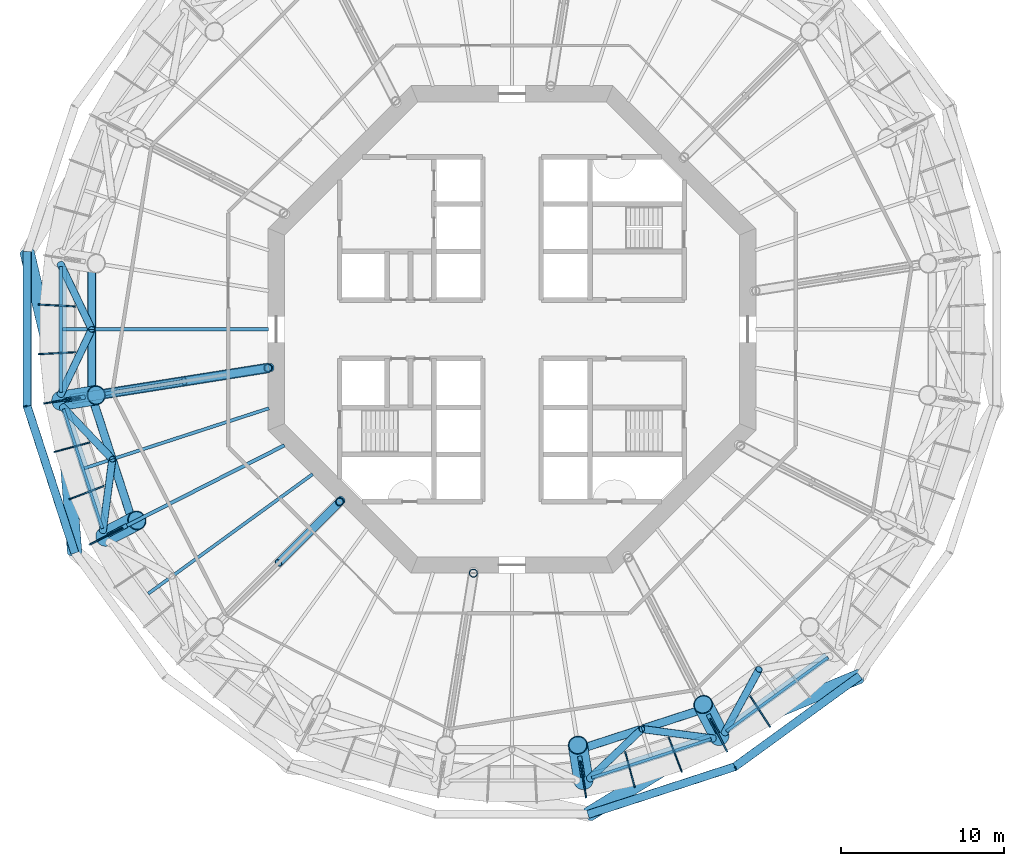
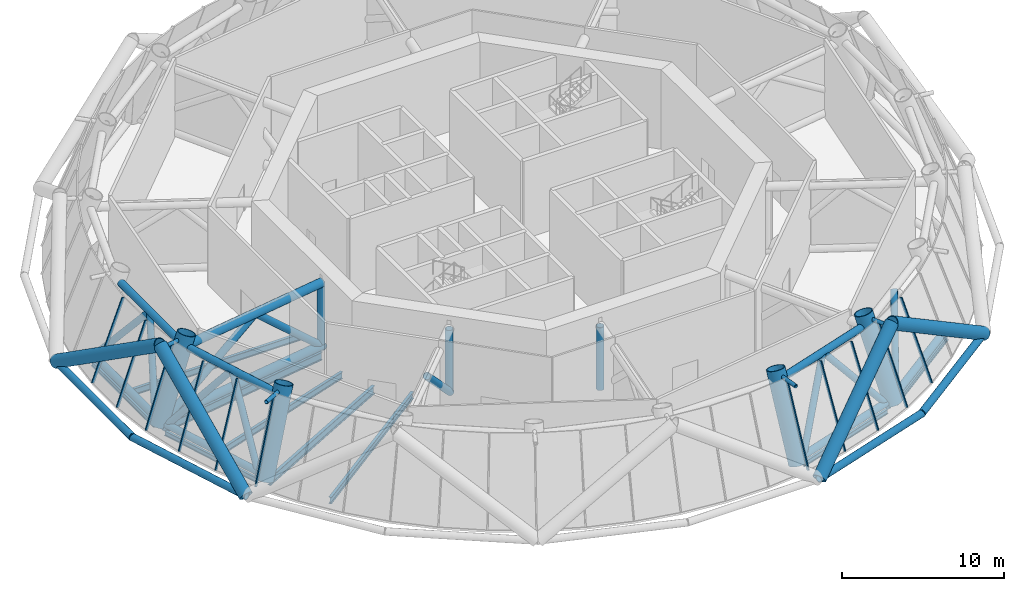
# One storey, part 2 of 15: 49 members, 9 beams, 5 elements without a shape of their own.
"""IFC4 building model written with IfcOpenShell, lengths in metres."""

from ifc_helpers import new_model, si_unit, direction, frame, origin, origin_2d, place, context, subcontext, project, spatial, rectangle, circle, hollow_circle, i_section, extrude, material, layer, layer_set, material_profile, profile_set, type_object, element, aggregate, save


model = new_model("IFC4")

# Units and contexts
model_context = context("Model", 3, precision=1e-05, world=origin(), true_north=direction((0.0, 1.0)))
body_context = subcontext(model_context, "Body", "Model", "MODEL_VIEW")
ifc_project = project(units=[si_unit("LENGTHUNIT", "METRE"), si_unit("AREAUNIT", "SQUARE_METRE"), si_unit("VOLUMEUNIT", "CUBIC_METRE"), si_unit("PLANEANGLEUNIT", "RADIAN"), si_unit("MASSUNIT", "GRAM", prefix="KILO")], contexts=[model_context])

# Site, building, storey
site_placement = place(None, origin())
site = spatial("IfcSite", under=ifc_project, at=site_placement, CompositionType="ELEMENT")
building_placement = place(site_placement, origin())
building = spatial("IfcBuilding", under=site, at=building_placement, Name="Entoto Ring Tower", CompositionType="ELEMENT")
storey_placement = place(building_placement, frame((0.0, 0.0, 200.0)))
storey = spatial("IfcBuildingStorey", under=building, at=storey_placement, Name="L46", CompositionType="ELEMENT", Elevation=200.0)

# Members
ifc_material_1 = material(Name="Steel S355", Category="steel")
ifc_material_profile_1 = material_profile(ifc_material_1, hollow_circle(Radius=0.449951171875, WallThickness=0.044921875, at=origin_2d()), Name="CHS 900 x 45")
ifc_material_2 = material(Name="Concrete C60/75", Category="concrete")
ifc_material_profile_2 = material_profile(ifc_material_2, circle(Radius=0.405029296875, at=origin_2d()), Name="Concrete C60/75 infill")
ifc_profile_set_1 = profile_set([ifc_material_profile_1, ifc_material_profile_2], Name="Steel S355")
member_type_1 = type_object("IfcMemberType", Name="Diagrid diagonal 900 x 45 concrete-filled tube", PredefinedType="BRACE", material=ifc_profile_set_1)
for number, where, z_axis, x_axis, name in (
    (1, (60.171875, 84.724365234375, 0.0), (0.195432990063, -0.818886187126, 0.539658557728), (0.972682939127, 0.232137674521, 0.0), "DG2 module 14 10"),
    (2, (63.091552734375, 66.28955078125, 0.0), (-0.067171964206, 0.839199397204, 0.539659428675), (-0.99681187731, -0.079787726213, 0.0), "DG2 module 14 11"),
):
    element("IfcMember", number, at=place(storey_placement, frame(where, z_axis=z_axis, x_axis=x_axis)), inside=storey, type_object=member_type_1, Name=name, PredefinedType="BRACE", context=body_context, shape_type="SweptSolid", body=[
        extrude(hollow_circle(Radius=0.449951171875, WallThickness=0.044921875, at=origin_2d()), origin(), (0.0, 0.0, 1.0), 11.1181640625),
    ])
member_1_placement = place(storey_placement, frame((94.724365234375, 50.171875, 0.0), z_axis=(0.718410935775, 0.438916670262, 0.539664603179), x_axis=(-0.521352941047, 0.853341145652, 0.0)))
element("IfcMember", 3, at=member_1_placement, inside=storey, type_object=member_type_1, Name="DG2 module 14 16", PredefinedType="BRACE", context=body_context, shape_type="SweptSolid", body=[
    extrude(hollow_circle(Radius=0.449951171875, WallThickness=0.044921875, at=origin_2d()), origin(), (0.0, 0.0, 1.0), 11.117919921875),
])
member_2_placement = place(storey_placement, frame((111.354736328125, 58.645263671875, 0.0), z_axis=(-0.777375260078, -0.323207345717, 0.539652403584), x_axis=(0.383907804078, -0.923371430123, 0.0)))
element("IfcMember", 4, at=member_2_placement, inside=storey, type_object=member_type_1, Name="DG2 module 14 17", PredefinedType="BRACE", context=body_context, shape_type="SweptSolid", body=[
    extrude(hollow_circle(Radius=0.449951171875, WallThickness=0.044921875, at=origin_2d()), origin(), (0.0, 0.0, 1.0), 11.1181640625),
])
ifc_material_3 = material(Name="Steel S355", Category="steel")
ifc_material_profile_3 = material_profile(ifc_material_3, hollow_circle(Radius=0.136474609375, WallThickness=0.012451171875, at=origin_2d()), Name="CHS 273 x 12.5")
ifc_material_4 = material(Name="Concrete C60/75", Category="concrete")
ifc_material_profile_4 = material_profile(ifc_material_4, circle(Radius=0.1240234375, at=origin_2d()), Name="Concrete C60/75 infill")
ifc_profile_set_2 = profile_set([ifc_material_profile_3, ifc_material_profile_4], Name="Steel S355")
member_type_2 = type_object("IfcMemberType", Name="Diagrid node strut 273 x 12.5", PredefinedType="STRUT", material=ifc_profile_set_2)
member_3_placement = place(storey_placement, frame((63.7421875, 75.841064453125, 5.71337890625), z_axis=(-0.987701157576, -0.156353520338, 0.0), x_axis=(0.156353520338, -0.987701157576, 0.0)))
element("IfcMember", 5, at=member_3_placement, inside=storey, type_object=member_type_2, Name="DS2 strut ring 14 11", PredefinedType="STRUT", context=body_context, shape_type="SweptSolid", body=[
    extrude(hollow_circle(Radius=0.136474609375, WallThickness=0.012451171875, at=origin_2d()), origin(), (0.0, 0.0, 1.0), 1.314697265625),
])
member_4_placement = place(storey_placement, frame((66.3125, 67.9306640625, 5.71337890625), z_axis=(-0.891022493252, -0.453959157325, 0.0), x_axis=(0.453959157325, -0.891022493252, 0.0)))
element("IfcMember", 6, at=member_4_placement, inside=storey, type_object=member_type_2, Name="DS2 strut ring 14 12", PredefinedType="STRUT", context=body_context, shape_type="SweptSolid", body=[
    extrude(hollow_circle(Radius=0.136474609375, WallThickness=0.012451171875, at=origin_2d()), origin(), (0.0, 0.0, 1.0), 1.31494140625),
])
member_5_placement = place(storey_placement, frame((94.158935546875, 53.7421875, 5.71337890625), z_axis=(0.156353520338, -0.987701157576, 0.0), x_axis=(0.987701157576, 0.156353520338, 0.0)))
element("IfcMember", 7, at=member_5_placement, inside=storey, type_object=member_type_2, Name="DS2 strut ring 14 16", PredefinedType="STRUT", context=body_context, shape_type="SweptSolid", body=[
    extrude(hollow_circle(Radius=0.136474609375, WallThickness=0.012451171875, at=origin_2d()), origin(), (0.0, 0.0, 1.0), 1.314697265625),
])
member_6_placement = place(storey_placement, frame((102.0693359375, 56.3125, 5.71337890625), z_axis=(0.453959157325, -0.891022493252, 0.0), x_axis=(0.891022493252, 0.453959157325, 0.0)))
element("IfcMember", 8, at=member_6_placement, inside=storey, type_object=member_type_2, Name="DS2 strut ring 14 17", PredefinedType="STRUT", context=body_context, shape_type="SweptSolid", body=[
    extrude(hollow_circle(Radius=0.136474609375, WallThickness=0.012451171875, at=origin_2d()), origin(), (0.0, 0.0, 1.0), 1.31494140625),
])
ifc_material_5 = material(Name="Steel S355", Category="steel")
ifc_material_profile_5 = material_profile(ifc_material_5, hollow_circle(Radius=0.25390625, WallThickness=0.030029296875, at=origin_2d()), Name="CHS 508 x 30")
ifc_material_6 = material(Name="Concrete C60/75", Category="concrete")
ifc_material_profile_6 = material_profile(ifc_material_6, circle(Radius=0.22412109375, at=origin_2d()), Name="Concrete C60/75 infill")
ifc_profile_set_3 = profile_set([ifc_material_profile_5, ifc_material_profile_6], Name="Steel S355")
member_type_3 = type_object("IfcMemberType", Name="Diagrid ring beam 508 x 30", PredefinedType="CHORD", material=ifc_profile_set_3)
member_7_placement = place(storey_placement, frame((60.171875, 84.78466796875, 0.0), z_axis=(0.0, -1.0, 0.0), x_axis=(1.0, 0.0, 0.0)))
element("IfcMember", 9, at=member_7_placement, inside=storey, type_object=member_type_3, Name="DR2 ring 13 09", PredefinedType="CHORD", context=body_context, shape_type="SweptSolid", body=[
    extrude(hollow_circle(Radius=0.25390625, WallThickness=0.030029296875, at=origin_2d()), origin(), (0.0, 0.0, 1.0), 9.5693359375),
])
for number, where, z_axis, x_axis, name in (
    (10, (60.1533203125, 75.3330078125, 0.0), (0.308993189852, -0.951064250524, 0.0), (0.951064250524, 0.308993189852, 0.0), "DR2 ring 13 10"),
    (11, (94.6669921875, 50.1533203125, 0.0), (0.951064250524, 0.308993189852, 0.0), (-0.308993189852, 0.951064250524, 0.0), "DR2 ring 13 15"),
    (12, (103.661865234375, 53.05615234375, 0.0), (0.809016230274, 0.587786303985, 0.0), (-0.587786303985, 0.809016230274, 0.0), "DR2 ring 13 16"),
):
    element("IfcMember", number, at=place(storey_placement, frame(where, z_axis=z_axis, x_axis=x_axis)), inside=storey, type_object=member_type_3, Name=name, PredefinedType="CHORD", context=body_context, shape_type="SweptSolid", body=[
        extrude(hollow_circle(Radius=0.25390625, WallThickness=0.030029296875, at=origin_2d()), origin(), (0.0, 0.0, 1.0), 9.569091796875),
    ])

# Beams
ifc_material_7 = material(Name="Steel S355", Category="steel")
ifc_material_profile_7 = material_profile(ifc_material_7, i_section(OverallWidth=0.169921875, OverallDepth=0.360107421875, WebThickness=0.008056640625, FlangeThickness=0.0126953125, FilletRadius=0.01806640625, at=origin_2d()), Name="IPE 360")
ifc_profile_set_4 = profile_set([ifc_material_profile_7], Name="Steel S355")
beam_type_1 = type_object("IfcBeamType", Name="Edge beam IPE 360", PredefinedType="SPANDREL", material=ifc_profile_set_4)
for number, where, z_axis, x_axis, name in (
    (13, (62.245849609375, 83.87255859375, -0.330078125), (0.0, -1.0, 0.0), (1.0, 0.0, 0.0), "Edge beam L46 10"),
    (14, (62.40771484375, 75.1064453125, -0.330078125), (0.309012656105, -0.951057925874, 0.0), (0.951057925874, 0.309012656105, 0.0), "Edge beam L46 11"),
    (15, (94.8935546875, 52.40771484375, -0.330078125), (0.951057925874, 0.309012656105, 0.0), (-0.309012656105, 0.951057925874, 0.0), "Edge beam L46 16"),
    (16, (103.180419921875, 55.270263671875, -0.330078125), (0.809012707043, 0.587791153253, 0.0), (-0.587791153253, 0.809012707043, 0.0), "Edge beam L46 17"),
):
    element("IfcBeam", number, at=place(storey_placement, frame(where, z_axis=z_axis, x_axis=x_axis)), inside=storey, type_object=beam_type_1, Name=name, PredefinedType="SPANDREL", context=body_context, shape_type="SweptSolid", body=[
        extrude(i_section(OverallWidth=0.169921875, OverallDepth=0.360107421875, WebThickness=0.008056640625, FlangeThickness=0.0126953125, FilletRadius=0.01806640625, at=origin_2d()), origin(), (0.0, 0.0, 1.0), 7.7451171875),
    ])

# Curtain wall, members
ifc_material_8 = material(Name="Anodised aluminium", Category="aluminium")
ifc_layer = layer(ifc_material_8, 0.10009765625)
ifc_layer_set = layer_set([ifc_layer], Name="Anodised aluminium")
curtain_wall_type = type_object("IfcCurtainWallType", Name="Louvre curtain wall system CW7", PredefinedType="NOTDEFINED", material=ifc_layer_set)
curtain_wall_1_placement = place(storey_placement, origin())
curtain_wall_1 = element("IfcCurtainWall", 17, at=curtain_wall_1_placement, inside=storey, type_object=curtain_wall_type, Name="CW7 L46-10", PredefinedType="NOTDEFINED")
ifc_material_9 = material(Name="Anodised aluminium", Category="aluminium")
ifc_material_profile_8 = material_profile(ifc_material_9, rectangle(XDim=0.080078125, YDim=0.199951171875, at=origin_2d()), Name="Mullion 80 x 200 mm anodised aluminium")
ifc_profile_set_5 = profile_set([ifc_material_profile_8], Name="Anodised aluminium")
member_type_4 = type_object("IfcMemberType", Name="Mullion 80 x 200 mm anodised aluminium", PredefinedType="MULLION", material=ifc_profile_set_5)
member_8_placement = place(storey_placement, frame((60.946044921875, 81.522705078125, 0.034423828125), z_axis=(0.343755886761, -0.018040245499, 0.938885743773), x_axis=(0.052407696247, 0.998625772436, 0.0)))
member_8 = element("IfcMember", 18, at=member_8_placement, type_object=member_type_4, Name="MULLION L46-28", PredefinedType="MULLION", context=body_context, shape_type="SweptSolid", body=[
    extrude(rectangle(XDim=0.080078125, YDim=0.199951171875, at=origin_2d()), origin(), (0.0, 0.0, 1.0), 6.157470703125),
])
member_9_placement = place(storey_placement, frame((60.946044921875, 78.477294921875, 0.034423828125), z_axis=(0.343755886761, 0.018040245499, 0.938885743773), x_axis=(-0.052407696247, 0.998625772436, 0.0)))
member_9 = element("IfcMember", 19, at=member_9_placement, type_object=member_type_4, Name="MULLION L46-29", PredefinedType="MULLION", context=body_context, shape_type="SweptSolid", body=[
    extrude(rectangle(XDim=0.080078125, YDim=0.199951171875, at=origin_2d()), origin(), (0.0, 0.0, 1.0), 6.157470703125),
])
aggregate(curtain_wall_1, [member_8, member_9])

curtain_wall_2_placement = place(storey_placement, origin())
curtain_wall_2 = element("IfcCurtainWall", 20, at=curtain_wall_2_placement, inside=storey, type_object=curtain_wall_type, Name="CW7 L46-11", PredefinedType="NOTDEFINED")
member_10_placement = place(storey_placement, frame((61.264404296875, 75.44873046875, 0.034423828125), z_axis=(0.339989545679, 0.053843242336, 0.938886582119), x_axis=(-0.156417995192, 0.987690949022, 0.0)))
member_10 = element("IfcMember", 21, at=member_10_placement, type_object=member_type_4, Name="MULLION L46-30", PredefinedType="MULLION", context=body_context, shape_type="SweptSolid", body=[
    extrude(rectangle(XDim=0.080078125, YDim=0.199951171875, at=origin_2d()), origin(), (0.0, 0.0, 1.0), 6.157470703125),
])
member_11_placement = place(storey_placement, frame((61.8974609375, 72.469970703125, 0.034423828125), z_axis=(0.332531368364, 0.089090018447, 0.938874782741), x_axis=(-0.258787896113, 0.965934172097, 0.0)))
member_11 = element("IfcMember", 22, at=member_11_placement, type_object=member_type_4, Name="MULLION L46-31", PredefinedType="MULLION", context=body_context, shape_type="SweptSolid", body=[
    extrude(rectangle(XDim=0.080078125, YDim=0.199951171875, at=origin_2d()), origin(), (0.0, 0.0, 1.0), 6.15771484375),
])
member_12_placement = place(storey_placement, frame((62.838623046875, 69.57373046875, 0.034423828125), z_axis=(0.321355925032, 0.123348338405, 0.938890598983), x_axis=(-0.358346063241, 0.933588827568, 0.0)))
member_12 = element("IfcMember", 23, at=member_12_placement, type_object=member_type_4, Name="MULLION L46-32", PredefinedType="MULLION", context=body_context, shape_type="SweptSolid", body=[
    extrude(rectangle(XDim=0.080078125, YDim=0.199951171875, at=origin_2d()), origin(), (0.0, 0.0, 1.0), 6.157470703125),
])
aggregate(curtain_wall_2, [member_10, member_11, member_12])

# Curtain wall, member
curtain_wall_3_placement = place(storey_placement, origin())
curtain_wall_3 = element("IfcCurtainWall", 24, at=curtain_wall_3_placement, inside=storey, type_object=curtain_wall_type, Name="CW7 L46-12", PredefinedType="NOTDEFINED")
member_13_placement = place(storey_placement, frame((64.0771484375, 66.791748046875, 0.034423828125), z_axis=(0.30672352053, 0.156256126475, 0.938884819822), x_axis=(-0.453927506851, 0.891038617863, 0.0)))
member_13 = element("IfcMember", 25, at=member_13_placement, type_object=member_type_4, Name="MULLION L46-33", PredefinedType="MULLION", context=body_context, shape_type="SweptSolid", body=[
    extrude(rectangle(XDim=0.080078125, YDim=0.199951171875, at=origin_2d()), origin(), (0.0, 0.0, 1.0), 6.157470703125),
])
aggregate(curtain_wall_3, [member_13])

# Curtain wall, members
curtain_wall_4_placement = place(storey_placement, origin())
curtain_wall_4 = element("IfcCurtainWall", 26, at=curtain_wall_4_placement, inside=storey, type_object=curtain_wall_type, Name="CW7 L46-16", PredefinedType="NOTDEFINED")
member_14_placement = place(storey_placement, frame((94.55126953125, 51.264404296875, 0.034423828125), z_axis=(-0.053843242336, 0.339989545679, 0.938886582119), x_axis=(-0.987690949022, -0.156417995192, 0.0)))
member_14 = element("IfcMember", 27, at=member_14_placement, type_object=member_type_4, Name="MULLION L46-45", PredefinedType="MULLION", context=body_context, shape_type="SweptSolid", body=[
    extrude(rectangle(XDim=0.080078125, YDim=0.199951171875, at=origin_2d()), origin(), (0.0, 0.0, 1.0), 6.157470703125),
])
member_15_placement = place(storey_placement, frame((97.530029296875, 51.8974609375, 0.034423828125), z_axis=(-0.089090018447, 0.332531368364, 0.938874782741), x_axis=(-0.965934172097, -0.258787896113, 0.0)))
member_15 = element("IfcMember", 28, at=member_15_placement, type_object=member_type_4, Name="MULLION L46-46", PredefinedType="MULLION", context=body_context, shape_type="SweptSolid", body=[
    extrude(rectangle(XDim=0.080078125, YDim=0.199951171875, at=origin_2d()), origin(), (0.0, 0.0, 1.0), 6.15771484375),
])
member_16_placement = place(storey_placement, frame((100.42626953125, 52.838623046875, 0.034423828125), z_axis=(-0.123348338405, 0.321355925032, 0.938890598983), x_axis=(-0.933588827568, -0.358346063241, 0.0)))
member_16 = element("IfcMember", 29, at=member_16_placement, type_object=member_type_4, Name="MULLION L46-47", PredefinedType="MULLION", context=body_context, shape_type="SweptSolid", body=[
    extrude(rectangle(XDim=0.080078125, YDim=0.199951171875, at=origin_2d()), origin(), (0.0, 0.0, 1.0), 6.157470703125),
])
aggregate(curtain_wall_4, [member_14, member_15, member_16])

curtain_wall_5_placement = place(storey_placement, origin())
curtain_wall_5 = element("IfcCurtainWall", 30, at=curtain_wall_5_placement, inside=storey, type_object=curtain_wall_type, Name="CW7 L46-17", PredefinedType="NOTDEFINED")
member_17_placement = place(storey_placement, frame((103.208251953125, 54.0771484375, 0.034423828125), z_axis=(-0.156256126475, 0.30672352053, 0.938884819822), x_axis=(-0.891038617863, -0.453927506851, 0.0)))
member_17 = element("IfcMember", 31, at=member_17_placement, type_object=member_type_4, Name="MULLION L46-48", PredefinedType="MULLION", context=body_context, shape_type="SweptSolid", body=[
    extrude(rectangle(XDim=0.080078125, YDim=0.199951171875, at=origin_2d()), origin(), (0.0, 0.0, 1.0), 6.157470703125),
])
member_18_placement = place(storey_placement, frame((105.845703125, 55.599853515625, 0.034423828125), z_axis=(-0.187497389991, 0.288719812628, 0.938874644744), x_axis=(-0.838669836379, -0.544640161527, 0.0)))
member_18 = element("IfcMember", 32, at=member_18_placement, type_object=member_type_4, Name="MULLION L46-49", PredefinedType="MULLION", context=body_context, shape_type="SweptSolid", body=[
    extrude(rectangle(XDim=0.080078125, YDim=0.199951171875, at=origin_2d()), origin(), (0.0, 0.0, 1.0), 6.15771484375),
])
aggregate(curtain_wall_5, [member_17, member_18])

# Members
ifc_material_10 = material(Name="Steel S355", Category="steel")
ifc_material_profile_9 = material_profile(ifc_material_10, hollow_circle(Radius=0.304931640625, WallThickness=0.030029296875, at=origin_2d()), Name="CHS 610 x 30")
ifc_material_11 = material(Name="Concrete C60/75", Category="concrete")
ifc_material_profile_10 = material_profile(ifc_material_11, circle(Radius=0.27490234375, at=origin_2d()), Name="Concrete C60/75 infill")
ifc_profile_set_6 = profile_set([ifc_material_profile_9, ifc_material_profile_10], Name="Steel S355")
member_type_5 = type_object("IfcMemberType", Name="Outrigger chord 610 x 30", PredefinedType="CHORD", material=ifc_profile_set_6)
member_19_placement = place(storey_placement, frame((75.0673828125, 77.635009765625, 0.304931640625), z_axis=(-0.987686484506, -0.156446183477, 0.0), x_axis=(0.156446183477, -0.987686484506, 0.0)))
element("IfcMember", 33, at=member_19_placement, inside=storey, type_object=member_type_5, Name="OR1B L46 bottom 06", PredefinedType="CHORD", context=body_context, shape_type="SweptSolid", body=[
    extrude(hollow_circle(Radius=0.304931640625, WallThickness=0.030029296875, at=origin_2d()), origin(), (0.0, 0.0, 1.0), 12.339111328125),
])
member_20_placement = place(storey_placement, frame((75.0673828125, 77.635009765625, 5.044921875), z_axis=(-0.98768760003, -0.156439140715, 0.0), x_axis=(0.156439140715, -0.98768760003, 0.0)))
element("IfcMember", 34, at=member_20_placement, inside=storey, type_object=member_type_5, Name="OR1B L46 top 06", PredefinedType="CHORD", context=body_context, shape_type="SweptSolid", body=[
    extrude(hollow_circle(Radius=0.304931640625, WallThickness=0.030029296875, at=origin_2d()), origin(), (0.0, 0.0, 1.0), 10.601318359375),
])
ifc_material_12 = material(Name="Steel S355", Category="steel")
ifc_material_profile_11 = material_profile(ifc_material_12, hollow_circle(Radius=0.25390625, WallThickness=0.030029296875, at=origin_2d()), Name="CHS 508 x 30")
ifc_material_13 = material(Name="Concrete C60/75", Category="concrete")
ifc_material_profile_12 = material_profile(ifc_material_13, circle(Radius=0.22412109375, at=origin_2d()), Name="Concrete C60/75 infill")
ifc_profile_set_7 = profile_set([ifc_material_profile_11, ifc_material_profile_12], Name="Steel S355")
member_type_6 = type_object("IfcMemberType", Name="Outrigger diagonal 508 x 30", PredefinedType="BRACE", material=ifc_profile_set_7)
member_21_placement = place(storey_placement, frame((75.187744140625, 77.654052734375, 0.1328125), z_axis=(-0.731953812431, -0.115929950961, 0.671419289966), x_axis=(0.156434275531, -0.98768837061, 0.0)))
element("IfcMember", 35, at=member_21_placement, inside=storey, type_object=member_type_6, Name="OR2B L46 06 1", PredefinedType="BRACE", context=body_context, shape_type="SweptSolid", body=[
    extrude(hollow_circle(Radius=0.25390625, WallThickness=0.030029296875, at=origin_2d()), origin(), (0.0, 0.0, 1.0), 7.31591796875),
])
member_22_placement = place(storey_placement, frame((69.832763671875, 76.805908203125, 5.044921875), z_axis=(-0.816713646916, -0.129356416621, -0.562357303162), x_axis=(0.156436450262, -0.987688026165, 0.0)))
element("IfcMember", 36, at=member_22_placement, inside=storey, type_object=member_type_6, Name="OR2B L46 06 2", PredefinedType="BRACE", context=body_context, shape_type="SweptSolid", body=[
    extrude(hollow_circle(Radius=0.25390625, WallThickness=0.030029296875, at=origin_2d()), origin(), (0.0, 0.0, 1.0), 8.57421875),
])
member_23_placement = place(storey_placement, frame((79.5234375, 69.5234375, 0.141357421875), z_axis=(-0.528183660493, -0.528183660493, 0.664863927113), x_axis=(0.707106781187, -0.707106781187, 0.0)))
element("IfcMember", 37, at=member_23_placement, inside=storey, type_object=member_type_6, Name="OR2B L46 07 1", PredefinedType="BRACE", context=body_context, shape_type="SweptSolid", body=[
    extrude(hollow_circle(Radius=0.25390625, WallThickness=0.030029296875, at=origin_2d()), origin(), (0.0, 0.0, 1.0), 7.375244140625),
])
ifc_material_14 = material(Name="Steel S355", Category="steel")
ifc_material_profile_13 = material_profile(ifc_material_14, hollow_circle(Radius=0.25390625, WallThickness=0.030029296875, at=origin_2d()), Name="CHS 508 x 30")
ifc_material_15 = material(Name="Concrete C60/75", Category="concrete")
ifc_material_profile_14 = material_profile(ifc_material_15, circle(Radius=0.22412109375, at=origin_2d()), Name="Concrete C60/75 infill")
ifc_profile_set_8 = profile_set([ifc_material_profile_13, ifc_material_profile_14], Name="Steel S355")
member_type_7 = type_object("IfcMemberType", Name="Outrigger post 508 x 30", PredefinedType="POST", material=ifc_profile_set_8)
for number, where, z_axis, x_axis, name in (
    (38, (75.0, 77.624267578125, 0.304931640625), (0.0, 0.0, 1.0), (1.0, 0.0, 0.0), "OR3 L46 06"),
    (39, (79.393310546875, 69.393310546875, 0.304931640625), (0.0, 0.0, 1.0), (1.0, 0.0, 0.0), "OR3 L46 07"),
    (40, (87.624267578125, 65.0, 0.304931640625), (0.0, 0.0, 1.0), (1.0, 0.0, 0.0), "OR3 L46 08"),
):
    element("IfcMember", number, at=place(storey_placement, frame(where, z_axis=z_axis, x_axis=x_axis)), inside=storey, type_object=member_type_7, Name=name, PredefinedType="POST", context=body_context, shape_type="SweptSolid", body=[
        extrude(hollow_circle(Radius=0.25390625, WallThickness=0.030029296875, at=origin_2d()), origin(), (0.0, 0.0, 1.0), 4.739990234375),
    ])

# Beams
ifc_material_16 = material(Name="Steel S355", Category="steel")
ifc_material_profile_15 = material_profile(ifc_material_16, i_section(OverallWidth=0.219970703125, OverallDepth=0.60009765625, WebThickness=0.011962890625, FlangeThickness=0.01904296875, FilletRadius=0.02392578125, at=origin_2d()), Name="IPE 600")
ifc_profile_set_9 = profile_set([ifc_material_profile_15], Name="Steel S355")
beam_type_2 = type_object("IfcBeamType", Name="Primary floor beam IPE 600", PredefinedType="BEAM", material=ifc_profile_set_9)
beam_1_placement = place(storey_placement, frame((75.036865234375, 77.630126953125, -0.449951171875), z_axis=(-0.987687213789, -0.156441579247, 0.0), x_axis=(0.156441579247, -0.987687213789, 0.0)))
element("IfcBeam", 41, at=beam_1_placement, inside=storey, type_object=beam_type_2, Name="Primary L46 R11", PredefinedType="BEAM", context=body_context, shape_type="SweptSolid", body=[
    extrude(i_section(OverallWidth=0.219970703125, OverallDepth=0.60009765625, WebThickness=0.011962890625, FlangeThickness=0.01904296875, FilletRadius=0.02392578125, at=origin_2d()), origin(), (0.0, 0.0, 1.0), 12.431640625),
])
beam_2_placement = place(storey_placement, frame((75.996826171875, 72.864990234375, -0.449951171875), z_axis=(-0.891010444609, -0.453982805399, 0.0), x_axis=(0.453982805399, -0.891010444609, 0.0)))
element("IfcBeam", 42, at=beam_2_placement, inside=storey, type_object=beam_type_2, Name="Primary L46 R12", PredefinedType="BEAM", context=body_context, shape_type="SweptSolid", body=[
    extrude(i_section(OverallWidth=0.219970703125, OverallDepth=0.60009765625, WebThickness=0.011962890625, FlangeThickness=0.01904296875, FilletRadius=0.02392578125, at=origin_2d()), origin(), (0.0, 0.0, 1.0), 11.864990234375),
])

# Members
ifc_material_17 = material(Name="Steel S355", Category="steel")
ifc_material_profile_16 = material_profile(ifc_material_17, hollow_circle(Radius=0.60009765625, WallThickness=0.054931640625, at=origin_2d()), Name="CHS 1200 x 55")
ifc_material_18 = material(Name="Concrete C60/75", Category="concrete")
ifc_material_profile_17 = material_profile(ifc_material_18, circle(Radius=0.544921875, at=origin_2d()), Name="Concrete C60/75 infill")
ifc_profile_set_10 = profile_set([ifc_material_profile_16, ifc_material_profile_17], Name="Steel S355")
member_type_8 = type_object("IfcMemberType", Name="Ring column jog 1200 x 55 concrete-filled tube", PredefinedType="STRUT", material=ifc_profile_set_10)
for number, where, z_axis, x_axis, name in (
    (43, (62.245849609375, 75.604248046875, 0.0), (0.340041863298, 0.053827545825, 0.938868535267), (-0.156350040137, 0.987701708488, 0.0), "RJ3B R11"),
    (44, (64.962646484375, 67.242919921875, 0.0), (0.306731822092, 0.156288439927, 0.938876729322), (-0.453992276384, 0.891005618941, 0.0), "RJ3B R12"),
    (45, (94.395751953125, 52.245849609375, 0.0), (-0.053827545825, 0.340041863298, 0.938868535267), (-0.987701708488, -0.156350040137, 0.0), "RJ3B R16"),
    (46, (102.757080078125, 54.962646484375, 0.0), (-0.156288439927, 0.306731822092, 0.938876729322), (-0.891005618941, -0.453992276384, 0.0), "RJ3B R17"),
):
    element("IfcMember", number, at=place(storey_placement, frame(where, z_axis=z_axis, x_axis=x_axis)), inside=storey, type_object=member_type_8, Name=name, PredefinedType="STRUT", context=body_context, shape_type="SweptSolid", body=[
        extrude(hollow_circle(Radius=0.60009765625, WallThickness=0.054931640625, at=origin_2d()), origin(), (0.0, 0.0, 1.0), 6.390625),
    ])
ifc_material_19 = material(Name="Steel S355", Category="steel")
ifc_material_profile_18 = material_profile(ifc_material_19, hollow_circle(Radius=0.25390625, WallThickness=0.030029296875, at=origin_2d()), Name="CHS 508 x 30")
ifc_material_20 = material(Name="Concrete C60/75", Category="concrete")
ifc_material_profile_19 = material_profile(ifc_material_20, circle(Radius=0.22412109375, at=origin_2d()), Name="Concrete C60/75 infill")
ifc_profile_set_11 = profile_set([ifc_material_profile_18, ifc_material_profile_19], Name="Steel S355")
member_type_9 = type_object("IfcMemberType", Name="Ring truss chord 508 x 30", PredefinedType="CHORD", material=ifc_profile_set_11)
member_24_placement = place(storey_placement, frame((62.337890625, 83.854736328125, 0.25390625), z_axis=(0.0, -1.0, 0.0), x_axis=(1.0, 0.0, 0.0)))
element("IfcMember", 47, at=member_24_placement, inside=storey, type_object=member_type_9, Name="BT1 L46 bottom 10", PredefinedType="CHORD", context=body_context, shape_type="SweptSolid", body=[
    extrude(hollow_circle(Radius=0.25390625, WallThickness=0.030029296875, at=origin_2d()), origin(), (0.0, 0.0, 1.0), 7.70947265625),
])
member_25_placement = place(storey_placement, frame((64.14208984375, 83.56884765625, 5.236083984375), z_axis=(0.0, -1.0, 0.0), x_axis=(1.0, 0.0, 0.0)))
element("IfcMember", 48, at=member_25_placement, inside=storey, type_object=member_type_9, Name="BT1 L46 top 10", PredefinedType="CHORD", context=body_context, shape_type="SweptSolid", body=[
    extrude(hollow_circle(Radius=0.25390625, WallThickness=0.030029296875, at=origin_2d()), origin(), (0.0, 0.0, 1.0), 7.1376953125),
])
member_26_placement = place(storey_placement, frame((62.500732421875, 75.117919921875, 0.25390625), z_axis=(0.309017329016, -0.951056407564, 0.0), x_axis=(0.951056407564, 0.309017329016, 0.0)))
element("IfcMember", 49, at=member_26_placement, inside=storey, type_object=member_type_9, Name="BT1 L46 bottom 11", PredefinedType="CHORD", context=body_context, shape_type="SweptSolid", body=[
    extrude(hollow_circle(Radius=0.25390625, WallThickness=0.030029296875, at=origin_2d()), origin(), (0.0, 0.0, 1.0), 7.70947265625),
])
member_27_placement = place(storey_placement, frame((64.304931640625, 75.40380859375, 5.236083984375), z_axis=(0.308994809906, -0.95106372418, 0.0), x_axis=(0.95106372418, 0.308994809906, 0.0)))
element("IfcMember", 50, at=member_27_placement, inside=storey, type_object=member_type_9, Name="BT1 L46 top 11", PredefinedType="CHORD", context=body_context, shape_type="SweptSolid", body=[
    extrude(hollow_circle(Radius=0.25390625, WallThickness=0.030029296875, at=origin_2d()), origin(), (0.0, 0.0, 1.0), 7.137939453125),
])
member_28_placement = place(storey_placement, frame((94.882080078125, 52.500732421875, 0.25390625), z_axis=(0.951056407564, 0.309017329016, 0.0), x_axis=(-0.309017329016, 0.951056407564, 0.0)))
element("IfcMember", 51, at=member_28_placement, inside=storey, type_object=member_type_9, Name="BT1 L46 bottom 16", PredefinedType="CHORD", context=body_context, shape_type="SweptSolid", body=[
    extrude(hollow_circle(Radius=0.25390625, WallThickness=0.030029296875, at=origin_2d()), origin(), (0.0, 0.0, 1.0), 7.70947265625),
])
member_29_placement = place(storey_placement, frame((94.59619140625, 54.304931640625, 5.236083984375), z_axis=(0.95106372418, 0.308994809906, 0.0), x_axis=(-0.308994809906, 0.95106372418, 0.0)))
element("IfcMember", 52, at=member_29_placement, inside=storey, type_object=member_type_9, Name="BT1 L46 top 16", PredefinedType="CHORD", context=body_context, shape_type="SweptSolid", body=[
    extrude(hollow_circle(Radius=0.25390625, WallThickness=0.030029296875, at=origin_2d()), origin(), (0.0, 0.0, 1.0), 7.137939453125),
])
member_30_placement = place(storey_placement, frame((103.140869140625, 55.355224609375, 0.25390625), z_axis=(0.809016722756, 0.587785626143, 0.0), x_axis=(-0.587785626143, 0.809016722756, 0.0)))
element("IfcMember", 53, at=member_30_placement, inside=storey, type_object=member_type_9, Name="BT1 L46 bottom 17", PredefinedType="CHORD", context=body_context, shape_type="SweptSolid", body=[
    extrude(hollow_circle(Radius=0.25390625, WallThickness=0.030029296875, at=origin_2d()), origin(), (0.0, 0.0, 1.0), 7.70947265625),
])
ifc_material_21 = material(Name="Steel S355", Category="steel")
ifc_material_profile_20 = material_profile(ifc_material_21, hollow_circle(Radius=0.228515625, WallThickness=0.02001953125, at=origin_2d()), Name="CHS 457 x 20")
ifc_material_22 = material(Name="Concrete C60/75", Category="concrete")
ifc_material_profile_21 = material_profile(ifc_material_22, circle(Radius=0.20849609375, at=origin_2d()), Name="Concrete C60/75 infill")
ifc_profile_set_12 = profile_set([ifc_material_profile_20, ifc_material_profile_21], Name="Steel S355")
member_type_10 = type_object("IfcMemberType", Name="Ring truss diagonal 457 x 20", PredefinedType="BRACE", material=ifc_profile_set_12)
for number, where, z_axis, x_axis, name in (
    (54, (62.230712890625, 84.005859375, -0.041748046875), (0.277169016435, -0.580890180313, 0.76533909788), (0.902525740577, 0.430635910713, 0.0), "BT2 L46 10 a"),
    (55, (64.14208984375, 80.0, 5.236083984375), (-0.277169016435, -0.580890180313, -0.76533909788), (0.902525740577, -0.430635910713, 0.0), "BT2 L46 10 b"),
    (56, (62.35205078125, 75.228515625, -0.041748046875), (0.4431081302, -0.466792960745, 0.765349277618), (0.725267185496, 0.688467508052, 0.0), "BT2 L46 11 a"),
    (57, (65.40771484375, 72.009521484375, 5.236083984375), (-0.084082353722, -0.638105407781, -0.765344135898), (0.991429939305, -0.130639486565, 0.0), "BT2 L46 11 b"),
    (58, (94.771484375, 52.35205078125, -0.041748046875), (0.466792960745, 0.4431081302, 0.765349277618), (-0.688467508052, 0.725267185496, 0.0), "BT2 L46 16 a"),
    (59, (97.990478515625, 55.40771484375, 5.236083984375), (0.638105407781, -0.084082353722, -0.765344135898), (0.130639486565, 0.991429939305, 0.0), "BT2 L46 16 b"),
    (60, (103.08154296875, 55.1796875, -0.041748046875), (0.307016638759, 0.565672492401, 0.765346597867), (-0.878894284489, 0.477016600018, 0.0), "BT2 L46 17 a"),
):
    element("IfcMember", number, at=place(storey_placement, frame(where, z_axis=z_axis, x_axis=x_axis)), inside=storey, type_object=member_type_10, Name=name, PredefinedType="BRACE", context=body_context, shape_type="SweptSolid", body=[
        extrude(hollow_circle(Radius=0.228515625, WallThickness=0.02001953125, at=origin_2d()), origin(), (0.0, 0.0, 1.0), 6.89599609375),
    ])

# Beams
ifc_material_23 = material(Name="Steel S355", Category="steel")
ifc_material_profile_22 = material_profile(ifc_material_23, i_section(OverallWidth=0.199951171875, OverallDepth=0.5, WebThickness=0.01025390625, FlangeThickness=0.01611328125, FilletRadius=0.02099609375, at=origin_2d()), Name="IPE 500")
ifc_profile_set_13 = profile_set([ifc_material_profile_22], Name="Steel S355")
beam_type_3 = type_object("IfcBeamType", Name="Secondary floor beam IPE 500", PredefinedType="JOIST", material=ifc_profile_set_13)
beam_3_placement = place(storey_placement, frame((75.02001953125, 80.0, -0.39990234375), z_axis=(-1.0, 0.0, 0.0), x_axis=(0.0, -1.0, 0.0)))
element("IfcBeam", 61, at=beam_3_placement, inside=storey, type_object=beam_type_3, Name="Secondary beam L46 10", PredefinedType="JOIST", context=body_context, shape_type="SweptSolid", body=[
    extrude(i_section(OverallWidth=0.199951171875, OverallDepth=0.5, WebThickness=0.01025390625, FlangeThickness=0.01611328125, FilletRadius=0.02099609375, at=origin_2d()), origin(), (0.0, 0.0, 1.0), 12.68896484375),
])
beam_4_placement = place(storey_placement, frame((75.0498046875, 75.142333984375, -0.39990234375), z_axis=(-0.951056587506, -0.30901677521, 0.0), x_axis=(0.30901677521, -0.951056587506, 0.0)))
element("IfcBeam", 62, at=beam_4_placement, inside=storey, type_object=beam_type_3, Name="Secondary beam L46 11", PredefinedType="JOIST", context=body_context, shape_type="SweptSolid", body=[
    extrude(i_section(OverallWidth=0.199951171875, OverallDepth=0.5, WebThickness=0.01025390625, FlangeThickness=0.01611328125, FilletRadius=0.02099609375, at=origin_2d()), origin(), (0.0, 0.0, 1.0), 11.94970703125),
])
beam_5_placement = place(storey_placement, frame((77.742431640625, 71.094482421875, -0.39990234375), z_axis=(-0.80901431041, -0.587788946436, 0.0), x_axis=(0.587788946436, -0.80901431041, 0.0)))
element("IfcBeam", 63, at=beam_5_placement, inside=storey, type_object=beam_type_3, Name="Secondary beam L46 12", PredefinedType="JOIST", context=body_context, shape_type="SweptSolid", body=[
    extrude(i_section(OverallWidth=0.199951171875, OverallDepth=0.5, WebThickness=0.01025390625, FlangeThickness=0.01611328125, FilletRadius=0.02099609375, at=origin_2d()), origin(), (0.0, 0.0, 1.0), 12.51806640625),
])

save(model, "model.ifc")
